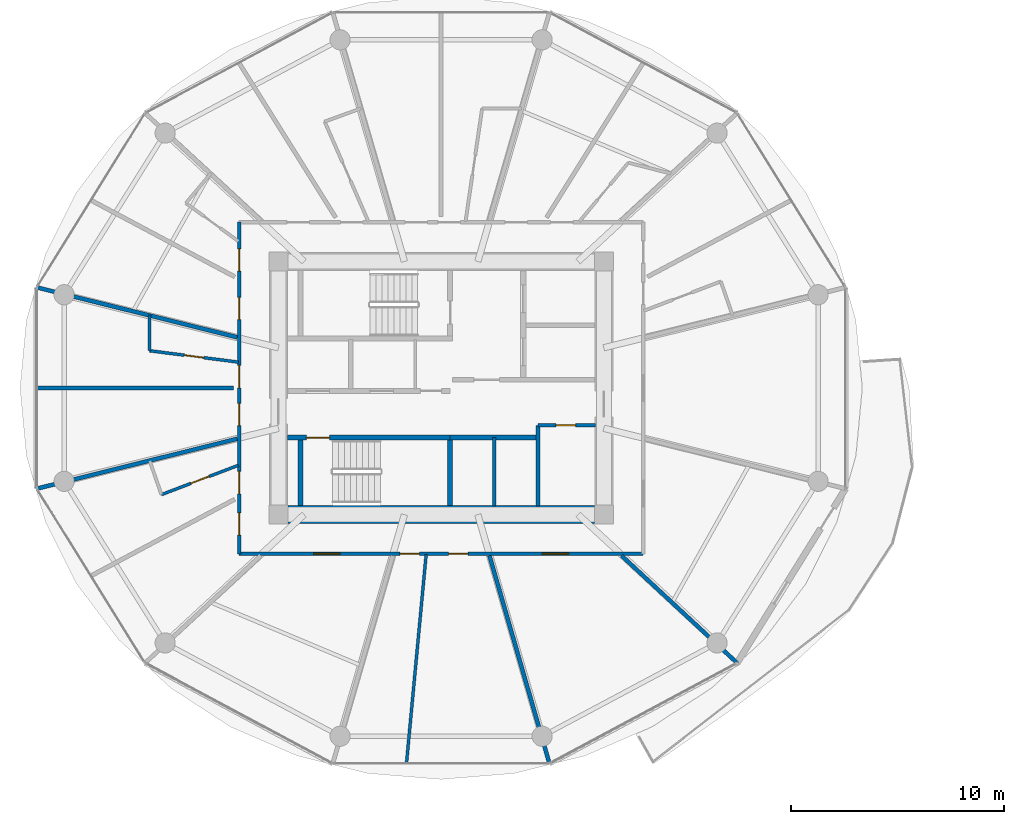
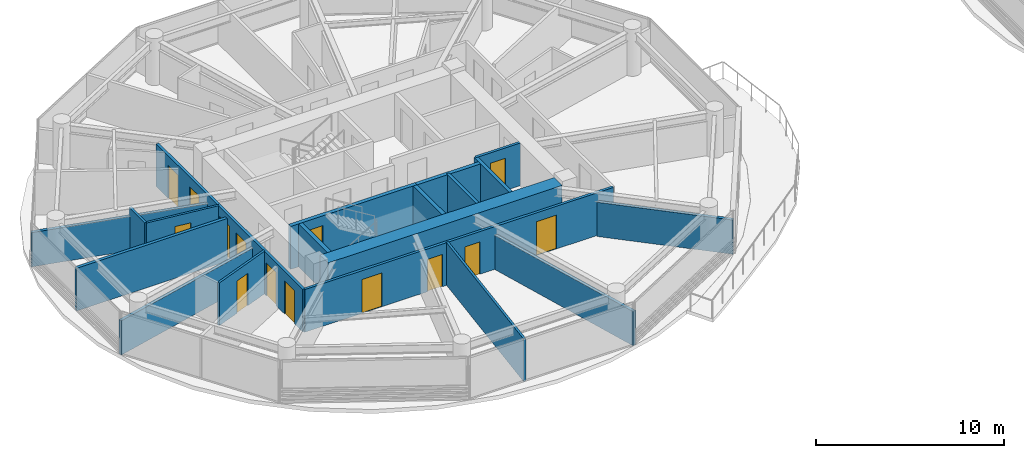
# One storey, part 15 of 26: 19 walls, 14 doors, 14 openings.
"""IFC4 building model written with IfcOpenShell, lengths in metres."""

from ifc_helpers import new_model, si_unit, direction, frame, frame_2d, origin, place, context, subcontext, project, spatial, rectangle, extrude, source, transform, mapped, material, layer, layer_set, type_object, type_shapes, element, fill, save


model = new_model("IFC4")

# Units and contexts
model_context = context("Model", 3, precision=1e-05, world=origin(), true_north=direction((0.0, 1.0)))
body_context = subcontext(model_context, "Body", "Model", "MODEL_VIEW")
ifc_project = project(units=[si_unit("LENGTHUNIT", "METRE"), si_unit("AREAUNIT", "SQUARE_METRE"), si_unit("VOLUMEUNIT", "CUBIC_METRE"), si_unit("PLANEANGLEUNIT", "RADIAN"), si_unit("MASSUNIT", "GRAM", prefix="KILO")], contexts=[model_context])

# Site, building, storey
site_placement = place(None, origin())
site = spatial("IfcSite", under=ifc_project, at=site_placement, CompositionType="ELEMENT")
building_placement = place(site_placement, origin())
building = spatial("IfcBuilding", under=site, at=building_placement, Name="Norrkilde Senior Care Towers", CompositionType="ELEMENT")
storey_placement = place(building_placement, frame((0.0, 0.0, 64.300048828125)))
storey = spatial("IfcBuildingStorey", under=building, at=storey_placement, Name="L19", CompositionType="ELEMENT", Elevation=64.300048828125)

# Walls
ifc_material_1 = material(Name="Concrete C60/75", Category="concrete")
ifc_layer_1 = layer(ifc_material_1, 0.85009765625)
ifc_layer_set_1 = layer_set([ifc_layer_1], Name="Concrete C60/75")
wall_type_1 = type_object("IfcWallType", Name="Core Shear Wall Z1 850", PredefinedType="SHEAR", material=ifc_layer_set_1)
shared_shape_1 = source(origin(), body_context, "Body", "SweptSolid", [
    extrude(rectangle(XDim=14.39990234375, YDim=0.85009765625, at=frame_2d((7.199951171875, 0.0))), origin(), (0.0, 0.0, 1.0), 2.7900390625),
])
type_shapes(wall_type_1, [shared_shape_1])
wall_1_placement = place(storey_placement, frame((-20.800048828125, -5.949951171875, 0.0), z_axis=(0.0, 0.0, 1.0), x_axis=(-1.0, 0.0, 0.0)))
element("IfcWall", 1, at=wall_1_placement, inside=storey, type_object=wall_type_1, Name="L19 Core W South Shear Wall", PredefinedType="SHEAR", context=body_context, shape_type="MappedRepresentation", body=[
    mapped(shared_shape_1, transform((0.0, 0.0, 0.0), x_axis=(1.0, 0.0, 0.0), y_axis=(0.0, 1.0, 0.0), z_axis=(0.0, 0.0, 1.0), scale=1.0)),
])
ifc_material_2 = material(Name="Concrete C45/55", Category="concrete")
ifc_layer_2 = layer(ifc_material_2, 0.199951171875)
ifc_layer_set_2 = layer_set([ifc_layer_2], Name="Concrete C45/55")
wall_type_2 = type_object("IfcWallType", Name="Shaft Division and Plant Partition 200", PredefinedType="PARTITIONING", material=ifc_layer_set_2)
shared_shape_2 = source(origin(), body_context, "Body", "SweptSolid", [
    extrude(rectangle(XDim=3.800048828125, YDim=0.199951171875, at=frame_2d((1.89990234375, 0.0))), origin(), (0.0, 0.0, 1.0), 2.77490234375),
])
type_shapes(wall_type_2, [shared_shape_2])
wall_2_placement = place(storey_placement, frame((-23.449951171875, -5.550048828125, 0.0), z_axis=(0.0, 0.0, 1.0), x_axis=(0.0, 1.0, 0.0)))
element("IfcWall", 2, at=wall_2_placement, inside=storey, type_object=wall_type_2, Name="WL-INT-L19-W-PKBE", PredefinedType="PARTITIONING", context=body_context, shape_type="MappedRepresentation", body=[
    mapped(shared_shape_2, transform((0.0, 0.0, 0.0), x_axis=(1.0, 0.0, 0.0), y_axis=(0.0, 1.0, 0.0), z_axis=(0.0, 0.0, 1.0), scale=1.0)),
])
ifc_layer_3 = layer(ifc_material_2, 0.239990234375)
ifc_layer_set_3 = layer_set([ifc_layer_3], Name="Concrete C45/55")
wall_type_3 = type_object("IfcWallType", Name="Lift and Plant Rated Enclosure Partition 240", PredefinedType="PARTITIONING", material=ifc_layer_set_3)
shared_shape_3 = source(origin(), body_context, "Body", "SweptSolid", [
    extrude(rectangle(XDim=4.130126953125, YDim=0.239990234375, at=frame_2d((2.06494140625, 0.0))), origin(), (0.0, 0.0, 1.0), 2.77490234375),
])
type_shapes(wall_type_3, [shared_shape_3])
wall_3_placement = place(storey_placement, frame((-27.580078125, -2.330078125, 0.0), z_axis=(0.0, 0.0, 1.0), x_axis=(1.0, 0.0, 0.0)))
element("IfcWall", 3, at=wall_3_placement, inside=storey, type_object=wall_type_3, Name="WL-INT-L19-W-PKBN", PredefinedType="PARTITIONING", context=body_context, shape_type="MappedRepresentation", body=[
    mapped(shared_shape_3, transform((0.0, 0.0, 0.0), x_axis=(1.0, 0.0, 0.0), y_axis=(0.0, 1.0, 0.0), z_axis=(0.0, 0.0, 1.0), scale=1.0)),
])
ifc_layer_4 = layer(ifc_material_2, 0.179931640625)
ifc_layer_set_4 = layer_set([ifc_layer_4], Name="Concrete C45/55")
wall_type_4 = type_object("IfcWallType", Name="Hoistway Division Rated Partition 180", PredefinedType="PARTITIONING", material=ifc_layer_set_4)
shared_shape_4 = source(origin(), body_context, "Body", "SweptSolid", [
    extrude(rectangle(XDim=3.219970703125, YDim=0.179931640625, at=frame_2d((1.60986328125, 0.0))), origin(), (0.0, 0.0, 1.0), 2.77490234375),
])
type_shapes(wall_type_4, [shared_shape_4])
wall_4_placement = place(storey_placement, frame((-25.5, -5.550048828125, 0.0), z_axis=(0.0, 0.0, 1.0), x_axis=(0.0, 1.0, 0.0)))
element("IfcWall", 4, at=wall_4_placement, inside=storey, type_object=wall_type_4, Name="WL-INT-L19-W-PL34", PredefinedType="PARTITIONING", context=body_context, shape_type="MappedRepresentation", body=[
    mapped(shared_shape_4, transform((0.0, 0.0, 0.0), x_axis=(1.0, 0.0, 0.0), y_axis=(0.0, 1.0, 0.0), z_axis=(0.0, 0.0, 1.0), scale=1.0)),
])

# Wall, opening, door
ifc_material_3 = material(Name="Gypsum Acoustic Board")
ifc_layer_5 = layer(ifc_material_3, 0.1650390625)
ifc_layer_set_5 = layer_set([ifc_layer_5], Name="Gypsum Acoustic Board")
wall_type_5 = type_object("IfcWallType", Name="Corridor Rated Partition 165", PredefinedType="PARTITIONING", material=ifc_layer_set_5)
shared_shape_5 = source(origin(), body_context, "Body", "SweptSolid", [
    extrude(rectangle(XDim=2.699951171875, YDim=0.1650390625, at=frame_2d((1.35009765625, 0.0))), origin(), (0.0, 0.0, 1.0), 2.77490234375),
])
wall_5_placement = place(storey_placement, frame((-23.449951171875, -1.75, 0.0), z_axis=(0.0, 0.0, 1.0), x_axis=(1.0, 0.0, 0.0)))
wall_5 = element("IfcWall", 5, at=wall_5_placement, inside=storey, type_object=wall_type_5, Name="WL-INT-L19-W-CSN", PredefinedType="PARTITIONING", context=body_context, shape_type="MappedRepresentation", body=[
    mapped(shared_shape_5, transform((0.0, 0.0, 0.0), x_axis=(1.0, 0.0, 0.0), y_axis=(0.0, 1.0, 0.0), z_axis=(0.0, 0.0, 1.0), scale=1.0)),
])
opening_1_placement = place(wall_5_placement, frame((0.85009765625, 0.0, 0.0)))
opening_1 = element("IfcOpeningElement", 6, at=opening_1_placement, cuts=wall_5, Name="Opening D-12", PredefinedType="OPENING", context=body_context, shape_type="SweptSolid", body=[
    extrude(rectangle(XDim=0.925048828125, YDim=2.10009765625, at=frame_2d((0.46240234375, 1.050048828125))), frame((0.0, 0.092529296875, 0.0), z_axis=(0.0, -1.0, 0.0), x_axis=(1.0, 0.0, 0.0)), (0.0, 0.0, 1.0), 0.18505859375),
])
ifc_material_4 = material(Name="Galvanised Painted Steel", Category="steel")
door_type_1 = type_object("IfcDoorType", Name="Core Wet Room Rated Door 925x2100", OperationType="NOTDEFINED", PredefinedType="DOOR", material=ifc_material_4)
shared_shape_6 = source(origin(), body_context, "Body", "SweptSolid", [
    extrude(rectangle(XDim=0.925048828125, YDim=2.10009765625, at=frame_2d((0.46240234375, 1.050048828125))), frame((0.0, 0.02490234375, 0.0), z_axis=(0.0, -1.0, 0.0), x_axis=(1.0, 0.0, 0.0)), (0.0, 0.0, 1.0), 0.050048828125),
])
type_shapes(door_type_1, [shared_shape_6])
door_1_placement = place(opening_1_placement, origin())
door_1 = element("IfcDoor", 7, at=door_1_placement, inside=storey, type_object=door_type_1, Name="L19 Core Utility W Door", OperationType="SINGLE_SWING_LEFT", OverallHeight=2.10009765625, OverallWidth=0.925048828125, PredefinedType="DOOR", context=body_context, shape_type="MappedRepresentation", body=[
    mapped(shared_shape_6, transform((0.0, 0.0, 0.0), x_axis=(1.0, 0.0, 0.0), y_axis=(0.0, 1.0, 0.0), z_axis=(0.0, 0.0, 1.0), scale=1.0)),
])
fill(opening_1, door_1)

# Wall, openings, doors
shared_shape_7 = source(origin(), body_context, "Body", "SweptSolid", [
    extrude(rectangle(XDim=19.0, YDim=0.1650390625, at=frame_2d((9.5, 0.0))), origin(), (0.0, 0.0, 1.0), 2.77490234375),
])
wall_6_placement = place(storey_placement, frame((-18.5, -7.800048828125, 0.0), z_axis=(0.0, 0.0, 1.0), x_axis=(-1.0, 0.0, 0.0)))
wall_6 = element("IfcWall", 8, at=wall_6_placement, inside=storey, type_object=wall_type_5, Name="WL-INT-L19-W-CRW-S-0", PredefinedType="PARTITIONING", context=body_context, shape_type="MappedRepresentation", body=[
    mapped(shared_shape_7, transform((0.0, 0.0, 0.0), x_axis=(1.0, 0.0, 0.0), y_axis=(0.0, 1.0, 0.0), z_axis=(0.0, 0.0, 1.0), scale=1.0)),
])
opening_2_placement = place(wall_6_placement, frame((14.244384765625, 0.0, 0.0)))
opening_2 = element("IfcOpeningElement", 9, at=opening_2_placement, cuts=wall_6, Name="Opening D-05", PredefinedType="OPENING", context=body_context, shape_type="SweptSolid", body=[
    extrude(rectangle(XDim=1.25, YDim=2.199951171875, at=frame_2d((0.625, 1.10009765625))), frame((0.0, 0.092529296875, 0.0), z_axis=(0.0, -1.0, 0.0), x_axis=(1.0, 0.0, 0.0)), (0.0, 0.0, 1.0), 0.18505859375),
])
opening_3_placement = place(wall_6_placement, frame((10.523193359375, 0.0, 0.0)))
opening_3 = element("IfcOpeningElement", 10, at=opening_3_placement, cuts=wall_6, Name="Opening D-08", PredefinedType="OPENING", context=body_context, shape_type="SweptSolid", body=[
    extrude(rectangle(XDim=0.919921875, YDim=2.10009765625, at=frame_2d((0.4599609375, 1.050048828125))), frame((0.0, 0.092529296875, 0.0), z_axis=(0.0, -1.0, 0.0), x_axis=(1.0, 0.0, 0.0)), (0.0, 0.0, 1.0), 0.18505859375),
])
opening_4_placement = place(wall_6_placement, frame((8.2255859375, 0.0, 0.0)))
opening_4 = element("IfcOpeningElement", 11, at=opening_4_placement, cuts=wall_6, Name="Opening D-08", PredefinedType="OPENING", context=body_context, shape_type="SweptSolid", body=[
    extrude(rectangle(XDim=0.919921875, YDim=2.10009765625, at=frame_2d((0.4599609375, 1.050048828125))), frame((0.0, 0.092529296875, 0.0), z_axis=(0.0, -1.0, 0.0), x_axis=(1.0, 0.0, 0.0)), (0.0, 0.0, 1.0), 0.18505859375),
])
opening_5_placement = place(wall_6_placement, frame((3.505615234375, 0.0, 0.0)))
opening_5 = element("IfcOpeningElement", 12, at=opening_5_placement, cuts=wall_6, Name="Opening D-05", PredefinedType="OPENING", context=body_context, shape_type="SweptSolid", body=[
    extrude(rectangle(XDim=1.25, YDim=2.199951171875, at=frame_2d((0.625, 1.10009765625))), frame((0.0, 0.092529296875, 0.0), z_axis=(0.0, -1.0, 0.0), x_axis=(1.0, 0.0, 0.0)), (0.0, 0.0, 1.0), 0.18505859375),
])
ifc_material_5 = material(Name="Nordic Ash Timber", Category="wood")
door_type_2 = type_object("IfcDoorType", Name="Care Bedroom Bariatric Door 1250x2200", OperationType="NOTDEFINED", PredefinedType="DOOR", material=ifc_material_5)
shared_shape_8 = source(origin(), body_context, "Body", "SweptSolid", [
    extrude(rectangle(XDim=1.25, YDim=2.199951171875, at=frame_2d((0.625, 1.10009765625))), frame((0.0, 0.02490234375, 0.0), z_axis=(0.0, -1.0, 0.0), x_axis=(1.0, 0.0, 0.0)), (0.0, 0.0, 1.0), 0.050048828125),
])
type_shapes(door_type_2, [shared_shape_8])
door_2_placement = place(opening_2_placement, frame((1.25, 0.0, 0.0), z_axis=(0.0, 0.0, 1.0), x_axis=(-1.0, 0.0, 0.0)))
door_2 = element("IfcDoor", 13, at=door_2_placement, inside=storey, type_object=door_type_2, Name="L19 Geriatric Rehabilitation Clinic Door", OperationType="SINGLE_SWING_RIGHT", OverallHeight=2.199951171875, OverallWidth=1.25, PredefinedType="DOOR", context=body_context, shape_type="MappedRepresentation", body=[
    mapped(shared_shape_8, transform((0.0, 0.0, 0.0), x_axis=(1.0, 0.0, 0.0), y_axis=(0.0, 1.0, 0.0), z_axis=(0.0, 0.0, 1.0), scale=1.0)),
])
fill(opening_2, door_2)
door_3_placement = place(opening_5_placement, frame((1.25, 0.0, 0.0), z_axis=(0.0, 0.0, 1.0), x_axis=(-1.0, 0.0, 0.0)))
door_3 = element("IfcDoor", 14, at=door_3_placement, inside=storey, type_object=door_type_2, Name="L19 Resident Therapeutic Day Lounge Door", OperationType="SINGLE_SWING_RIGHT", OverallHeight=2.199951171875, OverallWidth=1.25, PredefinedType="DOOR", context=body_context, shape_type="MappedRepresentation", body=[
    mapped(shared_shape_8, transform((0.0, 0.0, 0.0), x_axis=(1.0, 0.0, 0.0), y_axis=(0.0, 1.0, 0.0), z_axis=(0.0, 0.0, 1.0), scale=1.0)),
])
fill(opening_5, door_3)
door_type_3 = type_object("IfcDoorType", Name="Accessible Wet Room Door 920x2100", OperationType="NOTDEFINED", PredefinedType="DOOR", material=ifc_material_5)
shared_shape_9 = source(origin(), body_context, "Body", "SweptSolid", [
    extrude(rectangle(XDim=0.919921875, YDim=2.10009765625, at=frame_2d((0.4599609375, 1.050048828125))), frame((0.0, 0.02490234375, 0.0), z_axis=(0.0, -1.0, 0.0), x_axis=(1.0, 0.0, 0.0)), (0.0, 0.0, 1.0), 0.050048828125),
])
type_shapes(door_type_3, [shared_shape_9])
door_4_placement = place(opening_3_placement, frame((0.919921875, 0.0, 0.0), z_axis=(0.0, 0.0, 1.0), x_axis=(-1.0, 0.0, 0.0)))
door_4 = element("IfcDoor", 15, at=door_4_placement, inside=storey, type_object=door_type_3, Name="L19 Accessible Restroom Door", OperationType="SINGLE_SWING_LEFT", OverallHeight=2.10009765625, OverallWidth=0.919921875, PredefinedType="DOOR", context=body_context, shape_type="MappedRepresentation", body=[
    mapped(shared_shape_9, transform((0.0, 0.0, 0.0), x_axis=(1.0, 0.0, 0.0), y_axis=(0.0, 1.0, 0.0), z_axis=(0.0, 0.0, 1.0), scale=1.0)),
])
fill(opening_3, door_4)
door_5_placement = place(opening_4_placement, frame((0.919921875, 0.0, 0.0), z_axis=(0.0, 0.0, 1.0), x_axis=(-1.0, 0.0, 0.0)))
door_5 = element("IfcDoor", 16, at=door_5_placement, inside=storey, type_object=door_type_3, Name="L19 Public Restroom Door", OperationType="SINGLE_SWING_RIGHT", OverallHeight=2.10009765625, OverallWidth=0.919921875, PredefinedType="DOOR", context=body_context, shape_type="MappedRepresentation", body=[
    mapped(shared_shape_9, transform((0.0, 0.0, 0.0), x_axis=(1.0, 0.0, 0.0), y_axis=(0.0, 1.0, 0.0), z_axis=(0.0, 0.0, 1.0), scale=1.0)),
])
fill(opening_4, door_5)

shared_shape_10 = source(origin(), body_context, "Body", "SweptSolid", [
    extrude(rectangle(XDim=15.60009765625, YDim=0.1650390625, at=frame_2d((7.800048828125, 0.0))), origin(), (0.0, 0.0, 1.0), 2.77490234375),
])
type_shapes(wall_type_5, [shared_shape_5, shared_shape_7, shared_shape_10])
wall_7_placement = place(storey_placement, frame((-37.5, -7.800048828125, 0.0), z_axis=(0.0, 0.0, 1.0), x_axis=(0.0, 1.0, 0.0)))
wall_7 = element("IfcWall", 17, at=wall_7_placement, inside=storey, type_object=wall_type_5, Name="WL-INT-L19-W-CRW-W-0", PredefinedType="PARTITIONING", context=body_context, shape_type="MappedRepresentation", body=[
    mapped(shared_shape_10, transform((0.0, 0.0, 0.0), x_axis=(1.0, 0.0, 0.0), y_axis=(0.0, 1.0, 0.0), z_axis=(0.0, 0.0, 1.0), scale=1.0)),
])
opening_6_placement = place(wall_7_placement, frame((7.811767578125, 0.0, 0.0)))
opening_6 = element("IfcOpeningElement", 18, at=opening_6_placement, cuts=wall_7, Name="Opening D-06", PredefinedType="OPENING", context=body_context, shape_type="SweptSolid", body=[
    extrude(rectangle(XDim=1.050048828125, YDim=2.14990234375, at=frame_2d((0.52490234375, 1.074951171875))), frame((0.0, 0.092529296875, 0.0), z_axis=(0.0, -1.0, 0.0), x_axis=(1.0, 0.0, 0.0)), (0.0, 0.0, 1.0), 0.18505859375),
])
opening_7_placement = place(wall_7_placement, frame((6.03466796875, 0.0, 0.0)))
opening_7 = element("IfcOpeningElement", 19, at=opening_7_placement, cuts=wall_7, Name="Opening D-06", PredefinedType="OPENING", context=body_context, shape_type="SweptSolid", body=[
    extrude(rectangle(XDim=1.050048828125, YDim=2.14990234375, at=frame_2d((0.52490234375, 1.074951171875))), frame((0.0, 0.092529296875, 0.0), z_axis=(0.0, -1.0, 0.0), x_axis=(1.0, 0.0, 0.0)), (0.0, 0.0, 1.0), 0.18505859375),
])
opening_8_placement = place(wall_7_placement, frame((2.826416015625, 0.0, 0.0)))
opening_8 = element("IfcOpeningElement", 20, at=opening_8_placement, cuts=wall_7, Name="Opening D-06", PredefinedType="OPENING", context=body_context, shape_type="SweptSolid", body=[
    extrude(rectangle(XDim=1.050048828125, YDim=2.14990234375, at=frame_2d((0.52490234375, 1.074951171875))), frame((0.0, 0.092529296875, 0.0), z_axis=(0.0, -1.0, 0.0), x_axis=(1.0, 0.0, 0.0)), (0.0, 0.0, 1.0), 0.18505859375),
])
opening_9_placement = place(wall_7_placement, frame((0.88134765625, 0.0, 0.0)))
opening_9 = element("IfcOpeningElement", 21, at=opening_9_placement, cuts=wall_7, Name="Opening D-06", PredefinedType="OPENING", context=body_context, shape_type="SweptSolid", body=[
    extrude(rectangle(XDim=1.050048828125, YDim=2.14990234375, at=frame_2d((0.52490234375, 1.074951171875))), frame((0.0, 0.092529296875, 0.0), z_axis=(0.0, -1.0, 0.0), x_axis=(1.0, 0.0, 0.0)), (0.0, 0.0, 1.0), 0.18505859375),
])
opening_10_placement = place(wall_7_placement, frame((13.293212890625, 0.0, 0.0)))
opening_10 = element("IfcOpeningElement", 22, at=opening_10_placement, cuts=wall_7, Name="Opening D-06", PredefinedType="OPENING", context=body_context, shape_type="SweptSolid", body=[
    extrude(rectangle(XDim=1.050048828125, YDim=2.14990234375, at=frame_2d((0.52490234375, 1.074951171875))), frame((0.0, 0.092529296875, 0.0), z_axis=(0.0, -1.0, 0.0), x_axis=(1.0, 0.0, 0.0)), (0.0, 0.0, 1.0), 0.18505859375),
])
opening_11_placement = place(wall_7_placement, frame((11.017822265625, 0.0, 0.0)))
opening_11 = element("IfcOpeningElement", 23, at=opening_11_placement, cuts=wall_7, Name="Opening D-06", PredefinedType="OPENING", context=body_context, shape_type="SweptSolid", body=[
    extrude(rectangle(XDim=1.050048828125, YDim=2.14990234375, at=frame_2d((0.52490234375, 1.074951171875))), frame((0.0, 0.092529296875, 0.0), z_axis=(0.0, -1.0, 0.0), x_axis=(1.0, 0.0, 0.0)), (0.0, 0.0, 1.0), 0.18505859375),
])
door_type_4 = type_object("IfcDoorType", Name="Apartment Entrance Fire Door 1050x2150", OperationType="NOTDEFINED", PredefinedType="DOOR", material=ifc_material_5)
shared_shape_11 = source(origin(), body_context, "Body", "SweptSolid", [
    extrude(rectangle(XDim=1.050048828125, YDim=2.14990234375, at=frame_2d((0.52490234375, 1.074951171875))), frame((0.0, 0.02490234375, 0.0), z_axis=(0.0, -1.0, 0.0), x_axis=(1.0, 0.0, 0.0)), (0.0, 0.0, 1.0), 0.050048828125),
])
type_shapes(door_type_4, [shared_shape_11])
door_6_placement = place(opening_6_placement, frame((1.050048828125, 0.0, 0.0), z_axis=(0.0, 0.0, 1.0), x_axis=(-1.0, 0.0, 0.0)))
door_6 = element("IfcDoor", 24, at=door_6_placement, inside=storey, type_object=door_type_4, Name="L19 Care Suite 1905A Entrance Door", OperationType="SINGLE_SWING_LEFT", OverallHeight=2.14990234375, OverallWidth=1.050048828125, PredefinedType="DOOR", context=body_context, shape_type="MappedRepresentation", body=[
    mapped(shared_shape_11, transform((0.0, 0.0, 0.0), x_axis=(1.0, 0.0, 0.0), y_axis=(0.0, 1.0, 0.0), z_axis=(0.0, 0.0, 1.0), scale=1.0)),
])
fill(opening_6, door_6)
door_7_placement = place(opening_7_placement, frame((1.050048828125, 0.0, 0.0), z_axis=(0.0, 0.0, 1.0), x_axis=(-1.0, 0.0, 0.0)))
door_7 = element("IfcDoor", 25, at=door_7_placement, inside=storey, type_object=door_type_4, Name="L19 Therapy Day Lounge 05 Door", OperationType="SINGLE_SWING_LEFT", OverallHeight=2.14990234375, OverallWidth=1.050048828125, PredefinedType="DOOR", context=body_context, shape_type="MappedRepresentation", body=[
    mapped(shared_shape_11, transform((0.0, 0.0, 0.0), x_axis=(1.0, 0.0, 0.0), y_axis=(0.0, 1.0, 0.0), z_axis=(0.0, 0.0, 1.0), scale=1.0)),
])
fill(opening_7, door_7)
door_8_placement = place(opening_8_placement, frame((1.050048828125, 0.0, 0.0), z_axis=(0.0, 0.0, 1.0), x_axis=(-1.0, 0.0, 0.0)))
door_8 = element("IfcDoor", 26, at=door_8_placement, inside=storey, type_object=door_type_4, Name="L19 Care Suite 1906A Entrance Door", OperationType="SINGLE_SWING_RIGHT", OverallHeight=2.14990234375, OverallWidth=1.050048828125, PredefinedType="DOOR", context=body_context, shape_type="MappedRepresentation", body=[
    mapped(shared_shape_11, transform((0.0, 0.0, 0.0), x_axis=(1.0, 0.0, 0.0), y_axis=(0.0, 1.0, 0.0), z_axis=(0.0, 0.0, 1.0), scale=1.0)),
])
fill(opening_8, door_8)
door_9_placement = place(opening_9_placement, frame((1.050048828125, 0.0, 0.0), z_axis=(0.0, 0.0, 1.0), x_axis=(-1.0, 0.0, 0.0)))
door_9 = element("IfcDoor", 27, at=door_9_placement, inside=storey, type_object=door_type_4, Name="L19 Therapy Day Lounge 06 Door", OperationType="SINGLE_SWING_RIGHT", OverallHeight=2.14990234375, OverallWidth=1.050048828125, PredefinedType="DOOR", context=body_context, shape_type="MappedRepresentation", body=[
    mapped(shared_shape_11, transform((0.0, 0.0, 0.0), x_axis=(1.0, 0.0, 0.0), y_axis=(0.0, 1.0, 0.0), z_axis=(0.0, 0.0, 1.0), scale=1.0)),
])
fill(opening_9, door_9)
door_10_placement = place(opening_10_placement, frame((1.050048828125, 0.0, 0.0), z_axis=(0.0, 0.0, 1.0), x_axis=(-1.0, 0.0, 0.0)))
door_10 = element("IfcDoor", 28, at=door_10_placement, inside=storey, type_object=door_type_4, Name="L19 Care Suite 1904A Entrance Door", OperationType="SINGLE_SWING_RIGHT", OverallHeight=2.14990234375, OverallWidth=1.050048828125, PredefinedType="DOOR", context=body_context, shape_type="MappedRepresentation", body=[
    mapped(shared_shape_11, transform((0.0, 0.0, 0.0), x_axis=(1.0, 0.0, 0.0), y_axis=(0.0, 1.0, 0.0), z_axis=(0.0, 0.0, 1.0), scale=1.0)),
])
fill(opening_10, door_10)
door_11_placement = place(opening_11_placement, frame((1.050048828125, 0.0, 0.0), z_axis=(0.0, 0.0, 1.0), x_axis=(-1.0, 0.0, 0.0)))
door_11 = element("IfcDoor", 29, at=door_11_placement, inside=storey, type_object=door_type_4, Name="L19 Therapy Day Lounge 04 Door", OperationType="SINGLE_SWING_RIGHT", OverallHeight=2.14990234375, OverallWidth=1.050048828125, PredefinedType="DOOR", context=body_context, shape_type="MappedRepresentation", body=[
    mapped(shared_shape_11, transform((0.0, 0.0, 0.0), x_axis=(1.0, 0.0, 0.0), y_axis=(0.0, 1.0, 0.0), z_axis=(0.0, 0.0, 1.0), scale=1.0)),
])
fill(opening_11, door_11)

# Walls
ifc_layer_6 = layer(ifc_material_3, 0.18994140625)
ifc_layer_set_6 = layer_set([ifc_layer_6], Name="Gypsum Acoustic Board")
wall_type_6 = type_object("IfcWallType", Name="Unit Demising Acoustic Wall 190", PredefinedType="PARTITIONING", material=ifc_layer_set_6)
shared_shape_12 = source(origin(), body_context, "Body", "SweptSolid", [
    extrude(rectangle(XDim=7.4345703125, YDim=0.18994140625, at=frame_2d((3.71728515625, 0.0))), origin(), (0.0, 0.0, 1.0), 2.224853515625),
])
wall_8_placement = place(storey_placement, frame((-19.51708984375, -7.8798828125, 0.0), z_axis=(0.0, 0.0, 1.0), x_axis=(0.732651956848, -0.680603489652, 0.0)))
element("IfcWall", 30, at=wall_8_placement, inside=storey, type_object=wall_type_6, Name="WL-INT-L19-W-DEM-10-0", PredefinedType="PARTITIONING", context=body_context, shape_type="MappedRepresentation", body=[
    mapped(shared_shape_12, transform((0.0, 0.0, 0.0), x_axis=(1.0, 0.0, 0.0), y_axis=(0.0, 1.0, 0.0), z_axis=(0.0, 0.0, 1.0), scale=1.0)),
])
shared_shape_13 = source(origin(), body_context, "Body", "SweptSolid", [
    extrude(rectangle(XDim=10.196044921875, YDim=0.18994140625, at=frame_2d((5.09814453125, 0.0))), origin(), (0.0, 0.0, 1.0), 2.224853515625),
])
wall_9_placement = place(storey_placement, frame((-25.72705078125, -7.8798828125, 0.0), z_axis=(0.0, 0.0, 1.0), x_axis=(0.277136420347, -0.960830580549, 0.0)))
element("IfcWall", 31, at=wall_9_placement, inside=storey, type_object=wall_type_6, Name="WL-INT-L19-W-DEM-09-0", PredefinedType="PARTITIONING", context=body_context, shape_type="MappedRepresentation", body=[
    mapped(shared_shape_13, transform((0.0, 0.0, 0.0), x_axis=(1.0, 0.0, 0.0), y_axis=(0.0, 1.0, 0.0), z_axis=(0.0, 0.0, 1.0), scale=1.0)),
])
shared_shape_14 = source(origin(), body_context, "Body", "SweptSolid", [
    extrude(rectangle(XDim=9.737060546875, YDim=0.18994140625, at=frame_2d((4.86865234375, 0.0))), origin(), (0.0, 0.0, 1.0), 2.224853515625),
])
for number, where, z_axis, x_axis, name in (
    (32, (-37.580078125, 2.384521484375, 0.0), (0.0, 0.0, 1.0), (-0.970392716238, 0.241532557375, 0.0), "WL-INT-L19-W-DEM-05-0"),
    (33, (-37.580078125, -2.384521484375, 0.0), (0.0, 0.0, 1.0), (-0.970392716238, -0.241532557375, 0.0), "WL-INT-L19-W-DEM-06-0"),
):
    element("IfcWall", number, at=place(storey_placement, frame(where, z_axis=z_axis, x_axis=x_axis)), inside=storey, type_object=wall_type_6, Name=name, PredefinedType="PARTITIONING", context=body_context, shape_type="MappedRepresentation", body=[
        mapped(shared_shape_14, transform((0.0, 0.0, 0.0), x_axis=(1.0, 0.0, 0.0), y_axis=(0.0, 1.0, 0.0), z_axis=(0.0, 0.0, 1.0), scale=1.0)),
    ])

# Wall, opening, door
ifc_layer_7 = layer(ifc_material_3, 0.139892578125)
ifc_layer_set_7 = layer_set([ifc_layer_7], Name="Gypsum Acoustic Board")
wall_type_7 = type_object("IfcWallType", Name="En-suite Wet Room Wall 140", PredefinedType="PARTITIONING", material=ifc_layer_set_7)
shared_shape_15 = source(origin(), body_context, "Body", "SweptSolid", [
    extrude(rectangle(XDim=3.8740234375, YDim=0.139892578125, at=frame_2d((1.93701171875, 0.0))), origin(), (0.0, 0.0, 1.0), 2.77490234375),
])
wall_10_placement = place(storey_placement, frame((-37.530029296875, -3.631591796875, 0.0), z_axis=(0.0, 0.0, 1.0), x_axis=(-0.934461775659, -0.35606346321, 0.0)))
wall_10 = element("IfcWall", 34, at=wall_10_placement, inside=storey, type_object=wall_type_7, Name="WL-INT-L19-W-ES-06A", PredefinedType="PARTITIONING", context=body_context, shape_type="MappedRepresentation", body=[
    mapped(shared_shape_15, transform((0.0, 0.0, 0.0), x_axis=(1.0, 0.0, 0.0), y_axis=(0.0, 1.0, 0.0), z_axis=(0.0, 0.0, 1.0), scale=1.0)),
])
opening_12_placement = place(wall_10_placement, frame((1.47705078125, 0.0, 0.0)))
opening_12 = element("IfcOpeningElement", 35, at=opening_12_placement, cuts=wall_10, Name="Opening D-08", PredefinedType="OPENING", context=body_context, shape_type="SweptSolid", body=[
    extrude(rectangle(XDim=0.919921875, YDim=2.10009765625, at=frame_2d((0.4599609375, 1.050048828125))), frame((0.0, 0.079833984375, 0.0), z_axis=(0.0, -1.0, 0.0), x_axis=(1.0, 0.0, 0.0)), (0.0, 0.0, 1.0), 0.159912109375),
])
door_12_placement = place(opening_12_placement, origin())
door_12 = element("IfcDoor", 36, at=door_12_placement, inside=storey, type_object=door_type_3, Name="L19 Care Suite 1906A Bathroom Door", OperationType="SINGLE_SWING_LEFT", OverallHeight=2.10009765625, OverallWidth=0.919921875, PredefinedType="DOOR", context=body_context, shape_type="MappedRepresentation", body=[
    mapped(shared_shape_9, transform((0.0, 0.0, 0.0), x_axis=(1.0, 0.0, 0.0), y_axis=(0.0, 1.0, 0.0), z_axis=(0.0, 0.0, 1.0), scale=1.0)),
])
fill(opening_12, door_12)

ifc_layer_8 = layer(ifc_material_2, 0.239990234375)
ifc_layer_set_8 = layer_set([ifc_layer_8], Name="Concrete C45/55")
wall_type_8 = type_object("IfcWallType", Name="Shaft and Stair Enclosure Wall 240", PredefinedType="PARTITIONING", material=ifc_layer_set_8)
shared_shape_16 = source(origin(), body_context, "Body", "SweptSolid", [
    extrude(rectangle(XDim=7.76513671875, YDim=0.239990234375, at=frame_2d((3.882568359375, 0.0))), origin(), (0.0, 0.0, 1.0), 2.7900390625),
])
wall_11_placement = place(storey_placement, frame((-35.22509765625, -2.330078125, 0.0), z_axis=(0.0, 0.0, 1.0), x_axis=(1.0, 0.0, 0.0)))
wall_11 = element("IfcWall", 37, at=wall_11_placement, inside=storey, type_object=wall_type_8, Name="WL-INT-L19-W-ST2N", PredefinedType="PARTITIONING", context=body_context, shape_type="MappedRepresentation", body=[
    mapped(shared_shape_16, transform((0.0, 0.0, 0.0), x_axis=(1.0, 0.0, 0.0), y_axis=(0.0, 1.0, 0.0), z_axis=(0.0, 0.0, 1.0), scale=1.0)),
])
opening_13_placement = place(wall_11_placement, frame((0.885009765625, 0.0, 0.0)))
opening_13 = element("IfcOpeningElement", 38, at=opening_13_placement, cuts=wall_11, Name="Opening D-03", PredefinedType="OPENING", context=body_context, shape_type="SweptSolid", body=[
    extrude(rectangle(XDim=1.10009765625, YDim=2.14990234375, at=frame_2d((0.550048828125, 1.074951171875))), frame((0.0, 0.1298828125, 0.0), z_axis=(0.0, -1.0, 0.0), x_axis=(1.0, 0.0, 0.0)), (0.0, 0.0, 1.0), 0.260009765625),
])
door_type_5 = type_object("IfcDoorType", Name="Stairwell Protected Fire Door 1100x2150", OperationType="NOTDEFINED", PredefinedType="DOOR", material=ifc_material_4)
shared_shape_17 = source(origin(), body_context, "Body", "SweptSolid", [
    extrude(rectangle(XDim=1.10009765625, YDim=2.14990234375, at=frame_2d((0.550048828125, 1.074951171875))), frame((0.0, 0.02490234375, 0.0), z_axis=(0.0, -1.0, 0.0), x_axis=(1.0, 0.0, 0.0)), (0.0, 0.0, 1.0), 0.050048828125),
])
type_shapes(door_type_5, [shared_shape_17])
door_13_placement = place(opening_13_placement, frame((1.10009765625, 0.0, 0.0), z_axis=(0.0, 0.0, 1.0), x_axis=(-1.0, 0.0, 0.0)))
door_13 = element("IfcDoor", 39, at=door_13_placement, inside=storey, type_object=door_type_5, Name="L19 Stair W2 Fire Door", OperationType="SINGLE_SWING_RIGHT", OverallHeight=2.14990234375, OverallWidth=1.10009765625, PredefinedType="DOOR", context=body_context, shape_type="MappedRepresentation", body=[
    mapped(shared_shape_17, transform((0.0, 0.0, 0.0), x_axis=(1.0, 0.0, 0.0), y_axis=(0.0, 1.0, 0.0), z_axis=(0.0, 0.0, 1.0), scale=1.0)),
])
fill(opening_13, door_13)

# Walls
shared_shape_18 = source(origin(), body_context, "Body", "SweptSolid", [
    extrude(rectangle(XDim=3.074951171875, YDim=0.239990234375, at=frame_2d((1.53759765625, 0.0))), origin(), (0.0, 0.0, 1.0), 2.7900390625),
])
type_shapes(wall_type_8, [shared_shape_16, shared_shape_18])
for number, where, z_axis, x_axis, name in (
    (40, (-34.6201171875, -5.52490234375, 0.0), (0.0, 0.0, 1.0), (0.0, 1.0, 0.0), "WL-INT-L19-W-ST2W"),
    (41, (-27.580078125, -5.52490234375, 0.0), (0.0, 0.0, 1.0), (0.0, 1.0, 0.0), "WL-INT-L19-W-ST2E"),
):
    element("IfcWall", number, at=place(storey_placement, frame(where, z_axis=z_axis, x_axis=x_axis)), inside=storey, type_object=wall_type_8, Name=name, PredefinedType="PARTITIONING", context=body_context, shape_type="MappedRepresentation", body=[
        mapped(shared_shape_18, transform((0.0, 0.0, 0.0), x_axis=(1.0, 0.0, 0.0), y_axis=(0.0, 1.0, 0.0), z_axis=(0.0, 0.0, 1.0), scale=1.0)),
    ])
shared_shape_19 = source(origin(), body_context, "Body", "SweptSolid", [
    extrude(rectangle(XDim=9.89013671875, YDim=0.139892578125, at=frame_2d((4.945068359375, 0.0))), origin(), (0.0, 0.0, 1.0), 2.77490234375),
])
wall_12_placement = place(storey_placement, frame((-28.7041015625, -7.830078125, 0.0), z_axis=(0.0, 0.0, 1.0), x_axis=(-0.093780403478, -0.995592906726, 0.0)))
element("IfcWall", 42, at=wall_12_placement, inside=storey, type_object=wall_type_7, Name="WL-INT-L19-W-MID-08", PredefinedType="PARTITIONING", context=body_context, shape_type="MappedRepresentation", body=[
    mapped(shared_shape_19, transform((0.0, 0.0, 0.0), x_axis=(1.0, 0.0, 0.0), y_axis=(0.0, 1.0, 0.0), z_axis=(0.0, 0.0, 1.0), scale=1.0)),
])
shared_shape_20 = source(origin(), body_context, "Body", "SweptSolid", [
    extrude(rectangle(XDim=9.261474609375, YDim=0.18994140625, at=frame_2d((4.630859375, 0.0))), origin(), (0.0, 0.0, 1.0), 2.77490234375),
])
type_shapes(wall_type_6, [shared_shape_12, shared_shape_13, shared_shape_14, shared_shape_20])
wall_13_placement = place(storey_placement, frame((-37.767333984375, 0.0, 0.0), z_axis=(0.0, 0.0, 1.0), x_axis=(-1.0, 0.0, 0.0)))
element("IfcWall", 43, at=wall_13_placement, inside=storey, type_object=wall_type_6, Name="WL-INT-L19-W-CMID-05", PredefinedType="PARTITIONING", context=body_context, shape_type="MappedRepresentation", body=[
    mapped(shared_shape_20, transform((0.0, 0.0, 0.0), x_axis=(1.0, 0.0, 0.0), y_axis=(0.0, 1.0, 0.0), z_axis=(0.0, 0.0, 1.0), scale=1.0)),
])

# Wall, opening, door
shared_shape_21 = source(origin(), body_context, "Body", "SweptSolid", [
    extrude(rectangle(XDim=4.2099609375, YDim=0.139892578125, at=frame_2d((2.10498046875, 0.0))), origin(), (0.0, 0.0, 1.0), 2.77490234375),
])
wall_14_placement = place(storey_placement, frame((-37.530029296875, 1.218994140625, 0.0), z_axis=(0.0, 0.0, 1.0), x_axis=(-0.991917821325, 0.126881975625, 0.0)))
wall_14 = element("IfcWall", 44, at=wall_14_placement, inside=storey, type_object=wall_type_7, Name="WL-INT-L19-W-ES-05A", PredefinedType="PARTITIONING", context=body_context, shape_type="MappedRepresentation", body=[
    mapped(shared_shape_21, transform((0.0, 0.0, 0.0), x_axis=(1.0, 0.0, 0.0), y_axis=(0.0, 1.0, 0.0), z_axis=(0.0, 0.0, 1.0), scale=1.0)),
])
opening_14_placement = place(wall_14_placement, frame((1.64501953125, 0.0, 0.0)))
opening_14 = element("IfcOpeningElement", 45, at=opening_14_placement, cuts=wall_14, Name="Opening D-08", PredefinedType="OPENING", context=body_context, shape_type="SweptSolid", body=[
    extrude(rectangle(XDim=0.919921875, YDim=2.10009765625, at=frame_2d((0.4599609375, 1.050048828125))), frame((0.0, 0.079833984375, 0.0), z_axis=(0.0, -1.0, 0.0), x_axis=(1.0, 0.0, 0.0)), (0.0, 0.0, 1.0), 0.159912109375),
])
door_14_placement = place(opening_14_placement, origin())
door_14 = element("IfcDoor", 46, at=door_14_placement, inside=storey, type_object=door_type_3, Name="L19 Care Suite 1905A Bathroom Door", OperationType="SINGLE_SWING_RIGHT", OverallHeight=2.10009765625, OverallWidth=0.919921875, PredefinedType="DOOR", context=body_context, shape_type="MappedRepresentation", body=[
    mapped(shared_shape_9, transform((0.0, 0.0, 0.0), x_axis=(1.0, 0.0, 0.0), y_axis=(0.0, 1.0, 0.0), z_axis=(0.0, 0.0, 1.0), scale=1.0)),
])
fill(opening_14, door_14)

# Wall
shared_shape_22 = source(origin(), body_context, "Body", "SweptSolid", [
    extrude(rectangle(XDim=1.674560546875, YDim=0.139892578125, at=frame_2d((0.83740234375, 0.0))), origin(), (0.0, 0.0, 1.0), 2.77490234375),
])
type_shapes(wall_type_7, [shared_shape_15, shared_shape_19, shared_shape_21, shared_shape_22])
wall_15_placement = place(storey_placement, frame((-41.7060546875, 1.753173828125, 0.0), z_axis=(0.0, 0.0, 1.0), x_axis=(0.003644821977, 0.999993357614, 0.0)))
element("IfcWall", 47, at=wall_15_placement, inside=storey, type_object=wall_type_7, Name="WL-INT-L19-W-EF-05A", PredefinedType="PARTITIONING", context=body_context, shape_type="MappedRepresentation", body=[
    mapped(shared_shape_22, transform((0.0, 0.0, 0.0), x_axis=(1.0, 0.0, 0.0), y_axis=(0.0, 1.0, 0.0), z_axis=(0.0, 0.0, 1.0), scale=1.0)),
])

save(model, "model.ifc")
